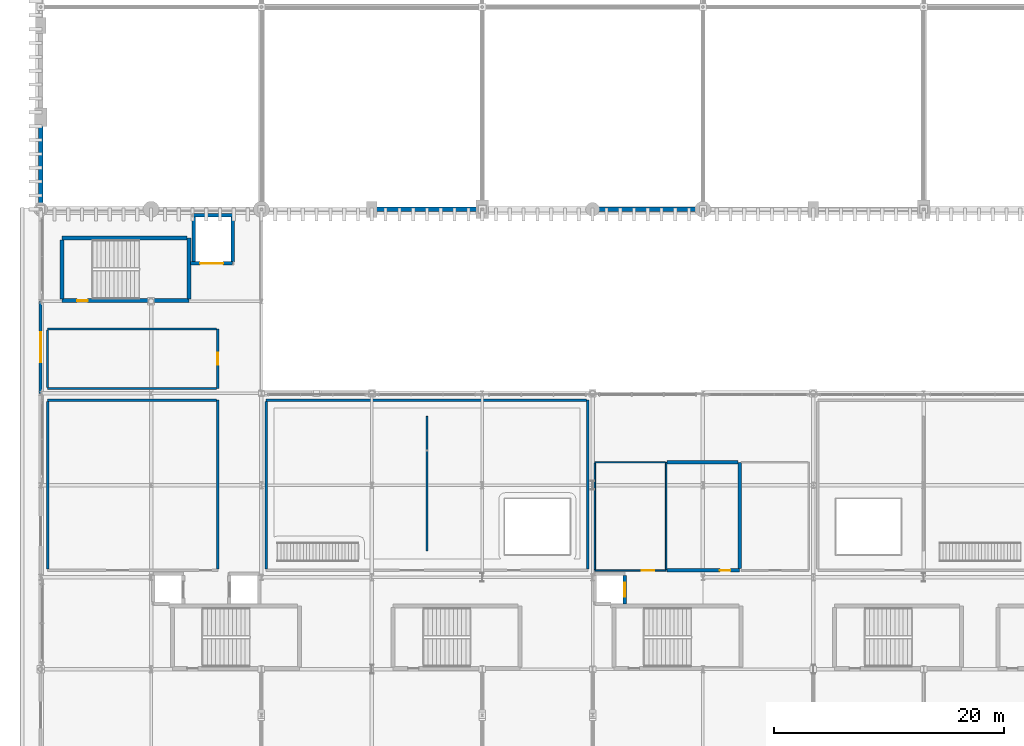
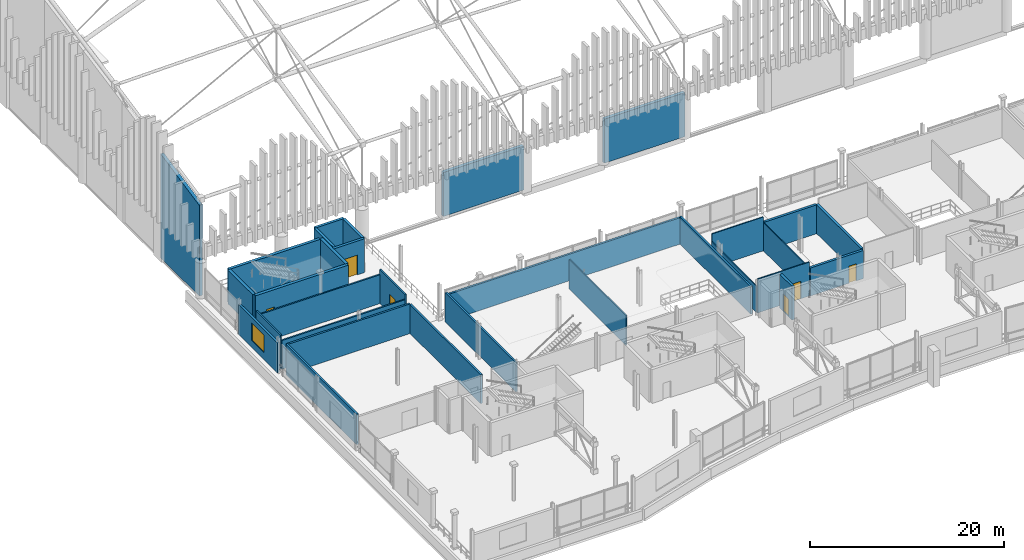
# One storey, part 150 of 193: 31 walls, 6 doors, 1 window, 7 openings.
"""IFC4 building model written with IfcOpenShell, lengths in metres."""

from ifc_helpers import new_model, si_unit, direction, frame, frame_2d, origin, place, context, subcontext, project, spatial, polyline, rectangle, outline, extrude, material, layer, layer_set, type_object, element, fill, save


model = new_model("IFC4")

# Units and contexts
model_context = context("Model", 3, precision=1e-05, world=origin(), true_north=direction((0.0, 1.0)))
body_context = subcontext(model_context, "Body", "Model", "MODEL_VIEW")
ifc_project = project(units=[si_unit("LENGTHUNIT", "METRE"), si_unit("AREAUNIT", "SQUARE_METRE"), si_unit("VOLUMEUNIT", "CUBIC_METRE"), si_unit("PLANEANGLEUNIT", "RADIAN"), si_unit("MASSUNIT", "GRAM", prefix="KILO")], contexts=[model_context])

# Site, building, storey
site_placement = place(None, origin())
site = spatial("IfcSite", under=ifc_project, at=site_placement, CompositionType="ELEMENT")
building_placement = place(site_placement, origin())
building = spatial("IfcBuilding", under=site, at=building_placement, Name="Danafjord Basin Convention Centre", CompositionType="ELEMENT")
storey_placement = place(building_placement, frame((0.0, 0.0, 11.39990234375)))
storey = spatial("IfcBuildingStorey", under=building, at=storey_placement, Name="L02", CompositionType="ELEMENT", Elevation=11.39990234375)

# Wall, opening, door
ifc_material_1 = material(Name="Concrete C40/50", Category="concrete")
ifc_layer_1 = layer(ifc_material_1, 0.300048828125)
ifc_layer_set_1 = layer_set([ifc_layer_1], Name="Concrete C40/50")
wall_type_1 = type_object("IfcWallType", Name="WALL-CW-CORE300", PredefinedType="SHEAR", material=ifc_layer_set_1)
wall_1_placement = place(storey_placement, frame((50.800048828125, 21.6650390625, 0.0), z_axis=(0.0, 0.0, 1.0), x_axis=(0.0, 1.0, 0.0)))
wall_1 = element("IfcWall", 1, at=wall_1_placement, inside=storey, type_object=wall_type_1, Name="Lift LF-P03 shaft shear wall", PredefinedType="SHEAR", context=body_context, shape_type="SweptSolid", body=[
    extrude(rectangle(XDim=2.5, YDim=0.300048828125, at=frame_2d((1.25, 0.0))), origin(), (0.0, 0.0, 1.0), 4.27001953125),
])
opening_1_placement = place(wall_1_placement, frame((0.64990234375, 0.0, 0.0)))
opening_1 = element("IfcOpeningElement", 2, at=opening_1_placement, cuts=wall_1, Name="Opening LD-P01", PredefinedType="OPENING", context=body_context, shape_type="SweptSolid", body=[
    extrude(rectangle(XDim=1.199951171875, YDim=2.199951171875, at=frame_2d((0.60009765625, 1.10009765625))), frame((0.0, 0.159912109375, 0.0), z_axis=(0.0, -1.0, 0.0), x_axis=(1.0, 0.0, 0.0)), (0.0, 0.0, 1.0), 0.320068359375),
])
ifc_material_2 = material(Name="Brushed stainless steel and acoustic laminated glass", Category="steel")
door_type_1 = type_object("IfcDoorType", Name="DOOR-LD-P01", OperationType="DOUBLE_DOOR_SLIDING", PredefinedType="DOOR", material=ifc_material_2)
door_1_placement = place(opening_1_placement, origin())
door_1 = element("IfcDoor", 3, at=door_1_placement, inside=storey, type_object=door_type_1, Name="Lift LF-P03 L02 Landing Door", OperationType="DOUBLE_DOOR_SLIDING", OverallHeight=2.199951171875, OverallWidth=1.199951171875, PredefinedType="DOOR", context=body_context, shape_type="SweptSolid", body=[
    extrude(rectangle(XDim=1.199951171875, YDim=2.199951171875, at=frame_2d((0.60009765625, 1.10009765625))), frame((0.0, 0.02490234375, 0.0), z_axis=(0.0, -1.0, 0.0), x_axis=(1.0, 0.0, 0.0)), (0.0, 0.0, 1.0), 0.050048828125),
])
fill(opening_1, door_1)

# Wall
wall_2_placement = place(storey_placement, frame((16.699951171875, 55.5, 0.0), z_axis=(0.0, 0.0, 1.0), x_axis=(-1.0, 0.0, 0.0)))
element("IfcWall", 4, at=wall_2_placement, inside=storey, type_object=wall_type_1, Name="Lift LF-G01 shaft shear wall", PredefinedType="SHEAR", context=body_context, shape_type="SweptSolid", body=[
    extrude(rectangle(XDim=3.39990234375, YDim=0.300048828125, at=frame_2d((1.699951171875, 0.0))), origin(), (0.0, 0.0, 1.0), 4.27001953125),
])

# Wall, opening, door
wall_3_placement = place(storey_placement, frame((13.044921875, 51.300048828125, 0.0), z_axis=(0.0, 0.0, 1.0), x_axis=(1.0, 0.0, 0.0)))
wall_3 = element("IfcWall", 5, at=wall_3_placement, inside=storey, type_object=wall_type_1, Name="Lift LF-G01 shaft shear wall", PredefinedType="SHEAR", context=body_context, shape_type="SweptSolid", body=[
    extrude(rectangle(XDim=3.655029296875, YDim=0.300048828125, at=frame_2d((1.82763671875, 0.0))), origin(), (0.0, 0.0, 1.0), 4.27001953125),
])
opening_2_placement = place(wall_3_placement, frame((0.826904296875, 0.0, 0.0)))
opening_2 = element("IfcOpeningElement", 6, at=opening_2_placement, cuts=wall_3, Name="Opening LD-G01", PredefinedType="OPENING", context=body_context, shape_type="SweptSolid", body=[
    extrude(rectangle(XDim=2.0, YDim=2.5, at=frame_2d((1.0, 1.25))), frame((0.0, 0.159912109375, 0.0), z_axis=(0.0, -1.0, 0.0), x_axis=(1.0, 0.0, 0.0)), (0.0, 0.0, 1.0), 0.320068359375),
])
door_type_2 = type_object("IfcDoorType", Name="DOOR-LD-G01", OperationType="DOUBLE_DOOR_SLIDING", PredefinedType="DOOR", material=ifc_material_2)
door_2_placement = place(opening_2_placement, origin())
door_2 = element("IfcDoor", 7, at=door_2_placement, inside=storey, type_object=door_type_2, Name="Lift LF-G01 L02 Landing Door", OperationType="DOUBLE_DOOR_SLIDING", OverallHeight=2.5, OverallWidth=2.0, PredefinedType="DOOR", context=body_context, shape_type="SweptSolid", body=[
    extrude(rectangle(XDim=2.0, YDim=2.5, at=frame_2d((1.0, 1.25))), frame((0.0, 0.02490234375, 0.0), z_axis=(0.0, -1.0, 0.0), x_axis=(1.0, 0.0, 0.0)), (0.0, 0.0, 1.0), 0.050048828125),
])
fill(opening_2, door_2)

# Walls
for number, where, z_axis, x_axis, name in (
    (8, (16.699951171875, 51.43505859375, 0.0), (0.0, 0.0, 1.0), (0.0, 1.0, 0.0), "Lift LF-G01 shaft shear wall"),
    (9, (13.300048828125, 55.364990234375, 0.0), (0.0, 0.0, 1.0), (0.0, -1.0, 0.0), "Lift LF-G01 shaft shear wall"),
):
    element("IfcWall", number, at=place(storey_placement, frame(where, z_axis=z_axis, x_axis=x_axis)), inside=storey, type_object=wall_type_1, Name=name, PredefinedType="SHEAR", context=body_context, shape_type="SweptSolid", body=[
        extrude(rectangle(XDim=3.929931640625, YDim=0.300048828125, at=frame_2d((1.96484375, 0.0))), origin(), (0.0, 0.0, 1.0), 4.27001953125),
    ])

# Wall, opening, door
ifc_material_3 = material(Name="Concrete C45/55", Category="concrete")
ifc_layer_2 = layer(ifc_material_3, 0.35009765625)
ifc_layer_set_2 = layer_set([ifc_layer_2], Name="Concrete C45/55")
wall_type_2 = type_object("IfcWallType", Name="WALL-CW-CORE350", PredefinedType="SHEAR", material=ifc_layer_set_2)
wall_4_placement = place(storey_placement, frame((1.85009765625, 48.050048828125, 0.0), z_axis=(0.0, 0.0, 1.0), x_axis=(1.0, 0.0, 0.0)))
wall_4 = element("IfcWall", 10, at=wall_4_placement, inside=storey, type_object=wall_type_2, Name="West Exhibition Core Stair 1 core shear wall (south)", PredefinedType="SHEAR", context=body_context, shape_type="SweptSolid", body=[
    extrude(rectangle(XDim=11.039794921875, YDim=0.35009765625, at=frame_2d((5.52001953125, 0.0))), origin(), (0.0, 0.0, 1.0), 4.27001953125),
])
opening_3_placement = place(wall_4_placement, frame((1.31201171875, 0.0, 0.0)))
opening_3 = element("IfcOpeningElement", 11, at=opening_3_placement, cuts=wall_4, Name="Opening FD-S01", PredefinedType="OPENING", context=body_context, shape_type="SweptSolid", body=[
    extrude(rectangle(XDim=0.909912109375, YDim=2.080078125, at=frame_2d((0.455078125, 1.0400390625))), frame((0.0, 0.18505859375, 0.0), z_axis=(0.0, -1.0, 0.0), x_axis=(1.0, 0.0, 0.0)), (0.0, 0.0, 1.0), 0.3701171875),
])
ifc_material_4 = material(Name="Powder-coated steel and Nordic oak", Category="steel")
door_type_3 = type_object("IfcDoorType", Name="DOOR-FD-S01", OperationType="NOTDEFINED", PredefinedType="DOOR", material=ifc_material_4)
door_3_placement = place(opening_3_placement, origin())
door_3 = element("IfcDoor", 12, at=door_3_placement, inside=storey, type_object=door_type_3, Name="West Exhibition Core Stair 1 L02 Fire Exit Door", OperationType="SINGLE_SWING_RIGHT", OverallHeight=2.080078125, OverallWidth=0.909912109375, PredefinedType="DOOR", context=body_context, shape_type="SweptSolid", body=[
    extrude(rectangle(XDim=0.909912109375, YDim=2.080078125, at=frame_2d((0.455078125, 1.0400390625))), frame((0.0, 0.02490234375, 0.0), z_axis=(0.0, -1.0, 0.0), x_axis=(1.0, 0.0, 0.0)), (0.0, 0.0, 1.0), 0.050048828125),
])
fill(opening_3, door_3)

# Walls
wall_5_placement = place(storey_placement, frame((12.889892578125, 48.2099609375, 0.0), z_axis=(0.0, 0.0, 1.0), x_axis=(0.0, 1.0, 0.0)))
element("IfcWall", 13, at=wall_5_placement, inside=storey, type_object=wall_type_2, Name="West Exhibition Core Stair 1 core shear wall (east)", PredefinedType="SHEAR", context=body_context, shape_type="SweptSolid", body=[
    extrude(rectangle(XDim=5.300048828125, YDim=0.35009765625, at=frame_2d((2.64990234375, 0.0))), origin(), (0.0, 0.0, 1.0), 4.27001953125),
])
wall_6_placement = place(storey_placement, frame((12.72998046875, 53.510009765625, 0.0), z_axis=(0.0, 0.0, 1.0), x_axis=(-1.0, 0.0, 0.0)))
element("IfcWall", 14, at=wall_6_placement, inside=storey, type_object=wall_type_2, Name="West Exhibition Core Stair 1 core shear wall (north)", PredefinedType="SHEAR", context=body_context, shape_type="SweptSolid", body=[
    extrude(rectangle(XDim=10.8798828125, YDim=0.35009765625, at=frame_2d((5.43994140625, 0.0))), origin(), (0.0, 0.0, 1.0), 4.27001953125),
])
wall_7_placement = place(storey_placement, frame((1.85009765625, 53.35009765625, 0.0), z_axis=(0.0, 0.0, 1.0), x_axis=(0.0, -1.0, 0.0)))
element("IfcWall", 15, at=wall_7_placement, inside=storey, type_object=wall_type_2, Name="West Exhibition Core Stair 1 core shear wall (west)", PredefinedType="SHEAR", context=body_context, shape_type="SweptSolid", body=[
    extrude(rectangle(XDim=5.14013671875, YDim=0.35009765625, at=frame_2d((2.570068359375, 0.0))), origin(), (0.0, 0.0, 1.0), 4.27001953125),
])
ifc_material_5 = material(Name="Precast concrete C45/55", Category="concrete")
ifc_layer_3 = layer(ifc_material_5, 0.3798828125)
ifc_layer_set_3 = layer_set([ifc_layer_3], Name="Precast concrete C45/55")
wall_type_3 = type_object("IfcWallType", Name="WALL-EW-PC380", PredefinedType="SOLIDWALL", material=ifc_layer_set_3)
wall_8_placement = place(storey_placement, frame((28.800048828125, 56.0, 0.0), z_axis=(0.0, 0.0, 1.0), x_axis=(1.0, 0.0, 0.0)))
element("IfcWall", 16, at=wall_8_placement, inside=storey, type_object=wall_type_3, Name="Exhibition hall S clerestory precast wall", PredefinedType="SOLIDWALL", context=body_context, shape_type="SweptSolid", body=[
    extrude(rectangle(XDim=9.599853515625, YDim=0.3798828125, at=frame_2d((4.7998046875, 0.0))), origin(), (0.0, 0.0, 1.0), 5.550048828125),
])
wall_9_placement = place(storey_placement, frame((48.0, 56.0, 0.0), z_axis=(0.0, 0.0, 1.0), x_axis=(1.0, 0.0, 0.0)))
element("IfcWall", 17, at=wall_9_placement, inside=storey, type_object=wall_type_3, Name="Exhibition hall S clerestory precast wall", PredefinedType="SOLIDWALL", context=body_context, shape_type="SweptSolid", body=[
    extrude(rectangle(XDim=9.60009765625, YDim=0.3798828125, at=frame_2d((4.800048828125, 0.0))), origin(), (0.0, 0.0, 1.0), 5.550048828125),
])
wall_10_placement = place(storey_placement, frame((0.0, 56.0, 0.0), z_axis=(0.0, 0.0, 1.0), x_axis=(0.0, 1.0, 0.0)))
element("IfcWall", 18, at=wall_10_placement, inside=storey, type_object=wall_type_3, Name="Wave-crested architectural precast gable wall W-1", PredefinedType="SOLIDWALL", context=body_context, shape_type="SweptSolid", body=[
    extrude(outline(polyline([(0.0, 0.0), (8.0, 0.0), (8.0, 13.114013671875), (4.0, 12.281982421875), (0.0, 11.4501953125), (0.0, 0.0)])), frame((0.0, 0.18994140625, 0.0), z_axis=(0.0, -1.0, 0.0), x_axis=(1.0, 0.0, 0.0)), (0.0, 0.0, 1.0), 0.3798828125),
])

# Wall, opening, window
ifc_material_6 = material(Name="Concrete C35/45", Category="concrete")
ifc_layer_4 = layer(ifc_material_6, 0.260009765625)
ifc_layer_set_4 = layer_set([ifc_layer_4], Name="Concrete C35/45")
wall_type_4 = type_object("IfcWallType", Name="WALL-EW-STD260", PredefinedType="STANDARD", material=ifc_layer_set_4)
wall_11_placement = place(storey_placement, frame((0.0, 40.0, 0.0), z_axis=(0.0, 0.0, 1.0), x_axis=(0.0, 1.0, 0.0)))
wall_11 = element("IfcWall", 19, at=wall_11_placement, inside=storey, type_object=wall_type_4, Name="L02 W wing facade wall", PredefinedType="STANDARD", context=body_context, shape_type="SweptSolid", body=[
    extrude(rectangle(XDim=8.0, YDim=0.260009765625, at=frame_2d((4.0, 0.0))), origin(), (0.0, 0.0, 1.0), 3.7900390625),
])
opening_4_placement = place(wall_11_placement, frame((2.699951171875, 0.0, 0.89990234375)))
opening_4 = element("IfcOpeningElement", 20, at=opening_4_placement, cuts=wall_11, Name="Opening WN-08", PredefinedType="OPENING", context=body_context, shape_type="SweptSolid", body=[
    extrude(rectangle(XDim=2.60009765625, YDim=2.199951171875, at=frame_2d((1.300048828125, 1.10009765625))), frame((0.0, 0.139892578125, 0.0), z_axis=(0.0, -1.0, 0.0), x_axis=(1.0, 0.0, 0.0)), (0.0, 0.0, 1.0), 0.280029296875),
])
ifc_material_7 = material(Name="Thermally broken aluminium and triple low-E glass", Category="aluminium")
window_type = type_object("IfcWindowType", Name="WIN-WN-08", PartitioningType="SINGLE_PANEL", PredefinedType="WINDOW", material=ifc_material_7)
window_placement = place(opening_4_placement, origin())
window = element("IfcWindow", 21, at=window_placement, inside=storey, type_object=window_type, Name="L02 W window WN-08", OverallHeight=2.199951171875, OverallWidth=2.60009765625, PartitioningType="SINGLE_PANEL", PredefinedType="WINDOW", context=body_context, shape_type="SweptSolid", body=[
    extrude(rectangle(XDim=2.60009765625, YDim=2.199951171875, at=frame_2d((1.300048828125, 1.10009765625))), frame((0.0, 0.030029296875, 0.0), z_axis=(0.0, -1.0, 0.0), x_axis=(1.0, 0.0, 0.0)), (0.0, 0.0, 1.0), 0.06005859375),
])
fill(opening_4, window)

# Wall, opening, door
ifc_material_8 = material(Name="Acoustic double-board gypsum stud partition")
ifc_layer_5 = layer(ifc_material_8, 0.175048828125)
ifc_layer_set_5 = layer_set([ifc_layer_5], Name="Acoustic double-board gypsum stud partition")
wall_type_5 = type_object("IfcWallType", Name="WALL-PT-AC175", PredefinedType="PARTITIONING", material=ifc_layer_set_5)
wall_12_placement = place(storey_placement, frame((15.39990234375, 40.39990234375, 0.0), z_axis=(0.0, 0.0, 1.0), x_axis=(0.0, 1.0, 0.0)))
wall_12 = element("IfcWall", 22, at=wall_12_placement, inside=storey, type_object=wall_type_5, Name="West Link Meeting Room M201 east partition", PredefinedType="PARTITIONING", context=body_context, shape_type="SweptSolid", body=[
    extrude(rectangle(XDim=5.2001953125, YDim=0.175048828125, at=frame_2d((2.60009765625, 0.0))), origin(), (0.0, 0.0, 1.0), 4.27001953125),
])
opening_5_placement = place(wall_12_placement, frame((2.06005859375, 0.0, 0.0)))
opening_5 = element("IfcOpeningElement", 23, at=opening_5_placement, cuts=wall_12, Name="Opening FD-S26", PredefinedType="OPENING", context=body_context, shape_type="SweptSolid", body=[
    extrude(rectangle(XDim=1.080078125, YDim=2.3798828125, at=frame_2d((0.5400390625, 1.18994140625))), frame((0.0, 0.097412109375, 0.0), z_axis=(0.0, -1.0, 0.0), x_axis=(1.0, 0.0, 0.0)), (0.0, 0.0, 1.0), 0.195068359375),
])
door_type_4 = type_object("IfcDoorType", Name="DOOR-FD-S26", OperationType="NOTDEFINED", PredefinedType="DOOR", material=ifc_material_4)
door_4_placement = place(opening_5_placement, origin())
door_4 = element("IfcDoor", 24, at=door_4_placement, inside=storey, type_object=door_type_4, Name="West Link Meeting Room M201 Entrance Door", OperationType="SINGLE_SWING_LEFT", OverallHeight=2.3798828125, OverallWidth=1.080078125, PredefinedType="DOOR", context=body_context, shape_type="SweptSolid", body=[
    extrude(rectangle(XDim=1.080078125, YDim=2.3798828125, at=frame_2d((0.5400390625, 1.18994140625))), frame((0.0, 0.02490234375, 0.0), z_axis=(0.0, -1.0, 0.0), x_axis=(1.0, 0.0, 0.0)), (0.0, 0.0, 1.0), 0.050048828125),
])
fill(opening_5, door_4)

# Walls
for number, where, z_axis, x_axis, name in (
    (25, (0.60009765625, 40.39990234375, 0.0), (0.0, 0.0, 1.0), (1.0, 0.0, 0.0), "West Link Meeting Room M201 south partition"),
    (26, (15.30859375, 45.60009765625, 0.0), (0.0, 0.0, 1.0), (-1.0, 0.0, 0.0), "West Link Meeting Room M201 north partition"),
):
    element("IfcWall", number, at=place(storey_placement, frame(where, z_axis=z_axis, x_axis=x_axis)), inside=storey, type_object=wall_type_5, Name=name, PredefinedType="PARTITIONING", context=body_context, shape_type="SweptSolid", body=[
        extrude(rectangle(XDim=14.70849609375, YDim=0.175048828125, at=frame_2d((7.354248046875, 0.0))), origin(), (0.0, 0.0, 1.0), 3.64013671875),
    ])
wall_13_placement = place(storey_placement, frame((0.60009765625, 45.508544921875, 0.0), z_axis=(0.0, 0.0, 1.0), x_axis=(0.0, -1.0, 0.0)))
element("IfcWall", 27, at=wall_13_placement, inside=storey, type_object=wall_type_5, Name="West Link Meeting Room M201 west partition", PredefinedType="PARTITIONING", context=body_context, shape_type="SweptSolid", body=[
    extrude(rectangle(XDim=5.01708984375, YDim=0.175048828125, at=frame_2d((2.508544921875, 0.0))), origin(), (0.0, 0.0, 1.0), 4.27001953125),
])
ifc_material_9 = material(Name="Acoustic twin-stud gypsum and mineral wool")
ifc_layer_6 = layer(ifc_material_9, 0.219970703125)
ifc_layer_set_6 = layer_set([ifc_layer_6], Name="Acoustic twin-stud gypsum and mineral wool")
wall_type_6 = type_object("IfcWallType", Name="WALL-PT-AC220", PredefinedType="PARTITIONING", material=ifc_layer_set_6)
wall_14_placement = place(storey_placement, frame((15.39990234375, 24.714111328125, 0.0), z_axis=(0.0, 0.0, 1.0), x_axis=(0.0, 1.0, 0.0)))
element("IfcWall", 28, at=wall_14_placement, inside=storey, type_object=wall_type_6, Name="Subdivisible Conference Hall C201 east partition", PredefinedType="PARTITIONING", context=body_context, shape_type="SweptSolid", body=[
    extrude(rectangle(XDim=14.685791015625, YDim=0.219970703125, at=frame_2d((7.3427734375, 0.0))), origin(), (0.0, 0.0, 1.0), 3.64013671875),
])
wall_15_placement = place(storey_placement, frame((15.285888671875, 39.39990234375, 0.0), z_axis=(0.0, 0.0, 1.0), x_axis=(-1.0, 0.0, 0.0)))
element("IfcWall", 29, at=wall_15_placement, inside=storey, type_object=wall_type_6, Name="Subdivisible Conference Hall C201 north partition", PredefinedType="PARTITIONING", context=body_context, shape_type="SweptSolid", body=[
    extrude(rectangle(XDim=14.685791015625, YDim=0.219970703125, at=frame_2d((7.3427734375, 0.0))), origin(), (0.0, 0.0, 1.0), 3.739990234375),
])
wall_16_placement = place(storey_placement, frame((0.60009765625, 39.285888671875, 0.0), z_axis=(0.0, 0.0, 1.0), x_axis=(0.0, -1.0, 0.0)))
element("IfcWall", 30, at=wall_16_placement, inside=storey, type_object=wall_type_6, Name="Subdivisible Conference Hall C201 west partition", PredefinedType="PARTITIONING", context=body_context, shape_type="SweptSolid", body=[
    extrude(rectangle(XDim=14.57177734375, YDim=0.219970703125, at=frame_2d((7.285888671875, 0.0))), origin(), (0.0, 0.0, 1.0), 3.85009765625),
])
wall_17_placement = place(storey_placement, frame((47.60009765625, 24.714111328125, 0.0), z_axis=(0.0, 0.0, 1.0), x_axis=(0.0, 1.0, 0.0)))
element("IfcWall", 31, at=wall_17_placement, inside=storey, type_object=wall_type_6, Name="Subdivisible Conference Hall C202 east partition", PredefinedType="PARTITIONING", context=body_context, shape_type="SweptSolid", body=[
    extrude(rectangle(XDim=14.685791015625, YDim=0.219970703125, at=frame_2d((7.3427734375, 0.0))), origin(), (0.0, 0.0, 1.0), 3.440185546875),
])
wall_18_placement = place(storey_placement, frame((47.486083984375, 39.39990234375, 0.0), z_axis=(0.0, 0.0, 1.0), x_axis=(-1.0, 0.0, 0.0)))
element("IfcWall", 32, at=wall_18_placement, inside=storey, type_object=wall_type_6, Name="Subdivisible Conference Hall C202 north partition", PredefinedType="PARTITIONING", context=body_context, shape_type="SweptSolid", body=[
    extrude(rectangle(XDim=27.885986328125, YDim=0.219970703125, at=frame_2d((13.94287109375, 0.0))), origin(), (0.0, 0.0, 1.0), 3.340087890625),
])
wall_19_placement = place(storey_placement, frame((19.60009765625, 39.285888671875, 0.0), z_axis=(0.0, 0.0, 1.0), x_axis=(0.0, -1.0, 0.0)))
element("IfcWall", 33, at=wall_19_placement, inside=storey, type_object=wall_type_6, Name="Subdivisible Conference Hall C202 west partition", PredefinedType="PARTITIONING", context=body_context, shape_type="SweptSolid", body=[
    extrude(rectangle(XDim=14.57177734375, YDim=0.219970703125, at=frame_2d((7.285888671875, 0.0))), origin(), (0.0, 0.0, 1.0), 3.690185546875),
])
ifc_material_10 = material(Name="Top-hung acoustic operable panel wall")
ifc_layer_7 = layer(ifc_material_10, 0.135009765625)
ifc_layer_set_7 = layer_set([ifc_layer_7], Name="Top-hung acoustic operable panel wall")
wall_type_7 = type_object("IfcWallType", Name="WALL-PT-MOV135", PredefinedType="MOVABLE", material=ifc_layer_set_7)
wall_20_placement = place(storey_placement, frame((33.60009765625, 26.2900390625, 0.0), z_axis=(0.0, 0.0, 1.0), x_axis=(0.0, 1.0, 0.0)))
element("IfcWall", 34, at=wall_20_placement, inside=storey, type_object=wall_type_7, Name="Subdivisible Conference Hall C202 operable acoustic wall", PredefinedType="MOVABLE", context=body_context, shape_type="SweptSolid", body=[
    extrude(rectangle(XDim=11.7099609375, YDim=0.135009765625, at=frame_2d((5.85498046875, 0.0))), origin(), (0.0, 0.0, 1.0), 3.739990234375),
])

# Wall, opening, door
ifc_material_11 = material(Name="Sanitary service-chase stud wall")
ifc_layer_8 = layer(ifc_material_11, 0.284912109375)
ifc_layer_set_8 = layer_set([ifc_layer_8], Name="Sanitary service-chase stud wall")
wall_type_8 = type_object("IfcWallType", Name="WALL-PT-PLB285", PredefinedType="PLUMBINGWALL", material=ifc_layer_set_8)
wall_21_placement = place(storey_placement, frame((54.464111328125, 24.60009765625, 0.0), z_axis=(0.0, 0.0, 1.0), x_axis=(1.0, 0.0, 0.0)))
wall_21 = element("IfcWall", 35, at=wall_21_placement, inside=storey, type_object=wall_type_8, Name="Level 2 Congress Female Toilet south partition", PredefinedType="PLUMBINGWALL", context=body_context, shape_type="SweptSolid", body=[
    extrude(rectangle(XDim=6.3359375, YDim=0.284912109375, at=frame_2d((3.16796875, 0.0))), origin(), (0.0, 0.0, 1.0), 3.5400390625),
])
opening_6_placement = place(wall_21_placement, frame((4.60400390625, 0.0, 0.0)))
opening_6 = element("IfcOpeningElement", 36, at=opening_6_placement, cuts=wall_21, Name="Opening FD-S09", PredefinedType="OPENING", context=body_context, shape_type="SweptSolid", body=[
    extrude(rectangle(XDim=0.919921875, YDim=2.14990234375, at=frame_2d((0.4599609375, 1.074951171875))), frame((0.0, 0.15234375, 0.0), z_axis=(0.0, -1.0, 0.0), x_axis=(1.0, 0.0, 0.0)), (0.0, 0.0, 1.0), 0.304931640625),
])
door_type_5 = type_object("IfcDoorType", Name="DOOR-FD-S09", OperationType="NOTDEFINED", PredefinedType="DOOR", material=ifc_material_4)
door_5_placement = place(opening_6_placement, origin())
door_5 = element("IfcDoor", 37, at=door_5_placement, inside=storey, type_object=door_type_5, Name="Level 2 Congress Female Toilet Entrance Door", OperationType="SINGLE_SWING_RIGHT", OverallHeight=2.14990234375, OverallWidth=0.919921875, PredefinedType="DOOR", context=body_context, shape_type="SweptSolid", body=[
    extrude(rectangle(XDim=0.919921875, YDim=2.14990234375, at=frame_2d((0.4599609375, 1.074951171875))), frame((0.0, 0.02490234375, 0.0), z_axis=(0.0, -1.0, 0.0), x_axis=(1.0, 0.0, 0.0)), (0.0, 0.0, 1.0), 0.050048828125),
])
fill(opening_6, door_5)

# Walls
wall_22_placement = place(storey_placement, frame((60.800048828125, 24.74658203125, 0.0), z_axis=(0.0, 0.0, 1.0), x_axis=(0.0, 1.0, 0.0)))
element("IfcWall", 38, at=wall_22_placement, inside=storey, type_object=wall_type_8, Name="Level 2 Congress Female Toilet east partition", PredefinedType="PLUMBINGWALL", context=body_context, shape_type="SweptSolid", body=[
    extrude(rectangle(XDim=9.25341796875, YDim=0.284912109375, at=frame_2d((4.626708984375, 0.0))), origin(), (0.0, 0.0, 1.0), 3.64013671875),
])
wall_23_placement = place(storey_placement, frame((60.653564453125, 34.0, 0.0), z_axis=(0.0, 0.0, 1.0), x_axis=(-1.0, 0.0, 0.0)))
element("IfcWall", 39, at=wall_23_placement, inside=storey, type_object=wall_type_8, Name="Level 2 Congress Female Toilet north partition", PredefinedType="PLUMBINGWALL", context=body_context, shape_type="SweptSolid", body=[
    extrude(rectangle(XDim=6.189453125, YDim=0.284912109375, at=frame_2d((3.0947265625, 0.0))), origin(), (0.0, 0.0, 1.0), 3.64013671875),
])

# Wall, opening, door
ifc_material_12 = material(Name="Moisture-resistant gypsum stud partition")
ifc_layer_9 = layer(ifc_material_12, 0.1201171875)
ifc_layer_set_9 = layer_set([ifc_layer_9], Name="Moisture-resistant gypsum stud partition")
wall_type_9 = type_object("IfcWallType", Name="WALL-PT-ST120", PredefinedType="PARTITIONING", material=ifc_layer_set_9)
wall_24_placement = place(storey_placement, frame((48.199951171875, 24.60009765625, 0.0), z_axis=(0.0, 0.0, 1.0), x_axis=(1.0, 0.0, 0.0)))
wall_24 = element("IfcWall", 40, at=wall_24_placement, inside=storey, type_object=wall_type_9, Name="Level 2 Congress Male Toilet south partition", PredefinedType="PARTITIONING", context=body_context, shape_type="SweptSolid", body=[
    extrude(rectangle(XDim=6.199951171875, YDim=0.1201171875, at=frame_2d((3.10009765625, 0.0))), origin(), (0.0, 0.0, 1.0), 4.27001953125),
])
opening_7_placement = place(wall_24_placement, frame((4.06396484375, 0.0, 0.0)))
opening_7 = element("IfcOpeningElement", 41, at=opening_7_placement, cuts=wall_24, Name="Opening FD-S08", PredefinedType="OPENING", context=body_context, shape_type="SweptSolid", body=[
    extrude(rectangle(XDim=1.1201171875, YDim=2.199951171875, at=frame_2d((0.56005859375, 1.10009765625))), frame((0.0, 0.070068359375, 0.0), z_axis=(0.0, -1.0, 0.0), x_axis=(1.0, 0.0, 0.0)), (0.0, 0.0, 1.0), 0.14013671875),
])
door_type_6 = type_object("IfcDoorType", Name="DOOR-FD-S08", OperationType="NOTDEFINED", PredefinedType="DOOR", material=ifc_material_4)
door_6_placement = place(opening_7_placement, origin())
door_6 = element("IfcDoor", 42, at=door_6_placement, inside=storey, type_object=door_type_6, Name="Level 2 Congress Male Toilet Entrance Door", OperationType="SINGLE_SWING_LEFT", OverallHeight=2.199951171875, OverallWidth=1.1201171875, PredefinedType="DOOR", context=body_context, shape_type="SweptSolid", body=[
    extrude(rectangle(XDim=1.1201171875, YDim=2.199951171875, at=frame_2d((0.56005859375, 1.10009765625))), frame((0.0, 0.02490234375, 0.0), z_axis=(0.0, -1.0, 0.0), x_axis=(1.0, 0.0, 0.0)), (0.0, 0.0, 1.0), 0.050048828125),
])
fill(opening_7, door_6)

# Walls
wall_25_placement = place(storey_placement, frame((54.39990234375, 24.6640625, 0.0), z_axis=(0.0, 0.0, 1.0), x_axis=(0.0, 1.0, 0.0)))
element("IfcWall", 43, at=wall_25_placement, inside=storey, type_object=wall_type_9, Name="Level 2 Congress Male Toilet east partition", PredefinedType="PARTITIONING", context=body_context, shape_type="SweptSolid", body=[
    extrude(rectangle(XDim=9.3359375, YDim=0.1201171875, at=frame_2d((4.66796875, 0.0))), origin(), (0.0, 0.0, 1.0), 3.5400390625),
])
wall_26_placement = place(storey_placement, frame((54.3359375, 34.0, 0.0), z_axis=(0.0, 0.0, 1.0), x_axis=(-1.0, 0.0, 0.0)))
element("IfcWall", 44, at=wall_26_placement, inside=storey, type_object=wall_type_9, Name="Level 2 Congress Male Toilet north partition", PredefinedType="PARTITIONING", context=body_context, shape_type="SweptSolid", body=[
    extrude(rectangle(XDim=6.135986328125, YDim=0.1201171875, at=frame_2d((3.06787109375, 0.0))), origin(), (0.0, 0.0, 1.0), 4.27001953125),
])
wall_27_placement = place(storey_placement, frame((48.199951171875, 33.93603515625, 0.0), z_axis=(0.0, 0.0, 1.0), x_axis=(0.0, -1.0, 0.0)))
element("IfcWall", 45, at=wall_27_placement, inside=storey, type_object=wall_type_9, Name="Level 2 Congress Male Toilet west partition", PredefinedType="PARTITIONING", context=body_context, shape_type="SweptSolid", body=[
    extrude(rectangle(XDim=9.27197265625, YDim=0.1201171875, at=frame_2d((4.635986328125, 0.0))), origin(), (0.0, 0.0, 1.0), 3.340087890625),
])

save(model, "model.ifc")
